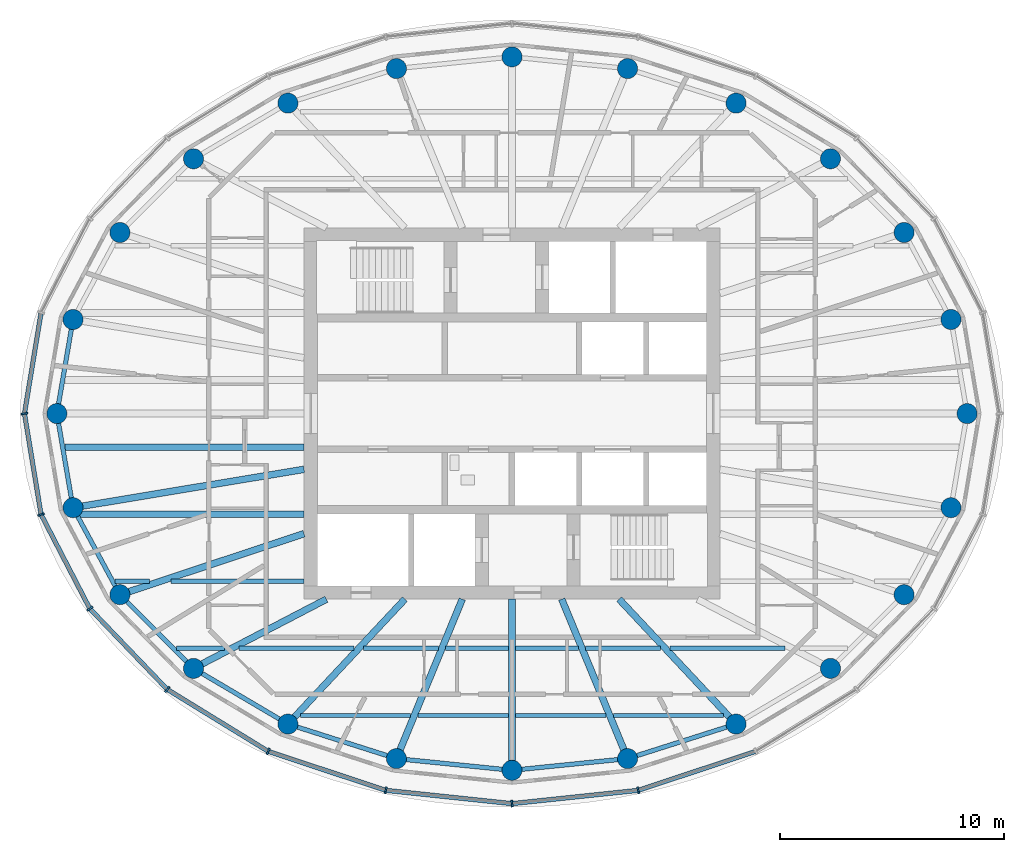
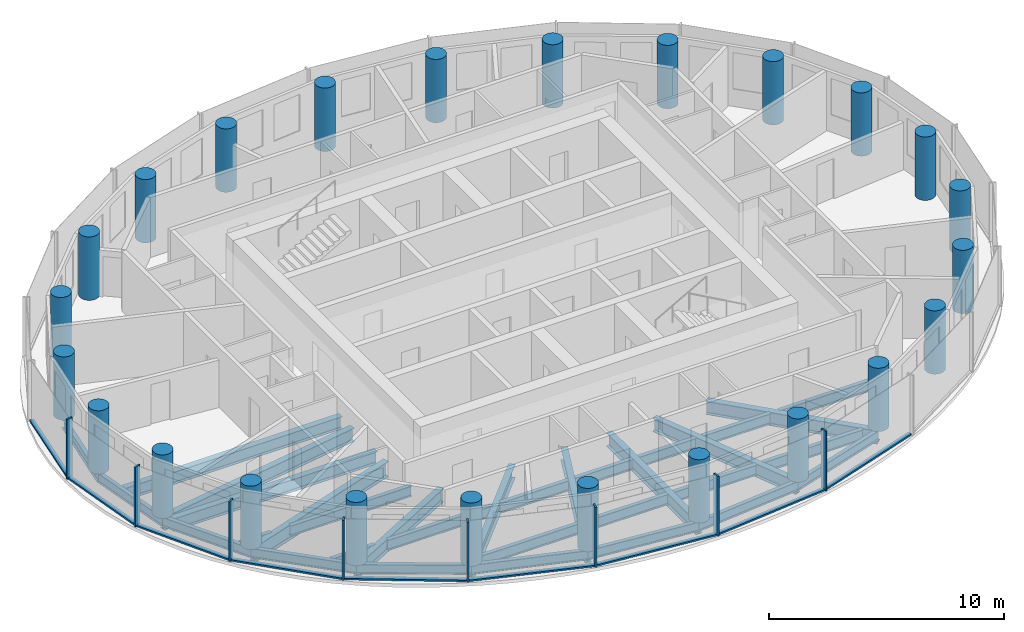
# One storey, part 1 of 12: 32 beams, 24 columns, 17 members, 3 elements without a shape of their own.
"""IFC4 building model written with IfcOpenShell, lengths in metres."""

from ifc_helpers import new_model, si_unit, direction, frame, origin, origin_2d, place, context, subcontext, project, spatial, rectangle, circle, i_section, extrude, material, material_profile, profile_set, type_object, element, aggregate, save


model = new_model("IFC4")

# Units and contexts
model_context = context("Model", 3, precision=1e-05, world=origin(), true_north=direction((0.0, 1.0)))
body_context = subcontext(model_context, "Body", "Model", "MODEL_VIEW")
ifc_project = project(units=[si_unit("LENGTHUNIT", "METRE"), si_unit("AREAUNIT", "SQUARE_METRE"), si_unit("VOLUMEUNIT", "CUBIC_METRE"), si_unit("PLANEANGLEUNIT", "RADIAN"), si_unit("MASSUNIT", "GRAM", prefix="KILO")], contexts=[model_context])

# Site, building, storey
site_placement = place(None, origin())
site = spatial("IfcSite", under=ifc_project, at=site_placement, CompositionType="ELEMENT")
building_placement = place(site_placement, origin())
building = spatial("IfcBuilding", under=site, at=building_placement, Name="Hankou Lantern Tower", CompositionType="ELEMENT")
storey_placement = place(building_placement, frame((0.0, 0.0, 216.0)))
storey = spatial("IfcBuildingStorey", under=building, at=storey_placement, Name="L58", CompositionType="ELEMENT", Elevation=216.0)

# Columns
ifc_material_1 = material(Name="Concrete C50", Category="concrete")
ifc_material_profile_1 = material_profile(ifc_material_1, circle(Radius=0.449951171875, at=origin_2d()), Name="RC D900")
ifc_profile_set_1 = profile_set([ifc_material_profile_1], Name="Concrete C50")
column_type = type_object("IfcColumnType", Name="TC5 PERIMETER COLUMN RC D900", PredefinedType="COLUMN", material=ifc_profile_set_1)
for number, where, z_axis, x_axis, name in (
    (1, (20.35009765625, 0.0, 0.0), (0.0, 0.0, 1.0), (1.0, 0.0, 0.0), "Column R01 L58"),
    (2, (19.629150390625, 4.207763671875, 0.0), (0.0, 0.0, 1.0), (1.0, 0.0, 0.0), "Column R02 L58"),
    (3, (17.5322265625, 8.097900390625, 0.0), (0.0, 0.0, 1.0), (1.0, 0.0, 0.0), "Column R03 L58"),
    (4, (14.241455078125, 11.393310546875, 0.0), (0.0, 0.0, 1.0), (1.0, 0.0, 0.0), "Column R04 L58"),
    (5, (10.01904296875, 13.8828125, 0.0), (0.0, 0.0, 1.0), (1.0, 0.0, 0.0), "Column R05 L58"),
    (6, (5.167236328125, 15.42724609375, 0.0), (0.0, 0.0, 1.0), (1.0, 0.0, 0.0), "Column R06 L58"),
    (7, (0.0, 15.949951171875, 0.0), (0.0, 0.0, 1.0), (1.0, 0.0, 0.0), "Column R07 L58"),
    (8, (-5.167236328125, 15.42724609375, 0.0), (0.0, 0.0, 1.0), (1.0, 0.0, 0.0), "Column R08 L58"),
    (9, (-10.01904296875, 13.8828125, 0.0), (0.0, 0.0, 1.0), (1.0, 0.0, 0.0), "Column R09 L58"),
    (10, (-14.241455078125, 11.393310546875, 0.0), (0.0, 0.0, 1.0), (1.0, 0.0, 0.0), "Column R10 L58"),
    (11, (-17.5322265625, 8.097900390625, 0.0), (0.0, 0.0, 1.0), (1.0, 0.0, 0.0), "Column R11 L58"),
    (12, (-19.629150390625, 4.207763671875, 0.0), (0.0, 0.0, 1.0), (1.0, 0.0, 0.0), "Column R12 L58"),
    (13, (-20.35009765625, 0.0, 0.0), (0.0, 0.0, 1.0), (1.0, 0.0, 0.0), "Column R13 L58"),
    (14, (-19.629150390625, -4.207763671875, 0.0), (0.0, 0.0, 1.0), (1.0, 0.0, 0.0), "Column R14 L58"),
    (15, (-17.5322265625, -8.097900390625, 0.0), (0.0, 0.0, 1.0), (1.0, 0.0, 0.0), "Column R15 L58"),
    (16, (-14.241455078125, -11.393310546875, 0.0), (0.0, 0.0, 1.0), (1.0, 0.0, 0.0), "Column R16 L58"),
    (17, (-10.01904296875, -13.8828125, 0.0), (0.0, 0.0, 1.0), (1.0, 0.0, 0.0), "Column R17 L58"),
    (18, (-5.167236328125, -15.42724609375, 0.0), (0.0, 0.0, 1.0), (1.0, 0.0, 0.0), "Column R18 L58"),
    (19, (0.0, -15.949951171875, 0.0), (0.0, 0.0, 1.0), (1.0, 0.0, 0.0), "Column R19 L58"),
    (20, (5.167236328125, -15.42724609375, 0.0), (0.0, 0.0, 1.0), (1.0, 0.0, 0.0), "Column R20 L58"),
    (21, (10.01904296875, -13.8828125, 0.0), (0.0, 0.0, 1.0), (1.0, 0.0, 0.0), "Column R21 L58"),
    (22, (14.241455078125, -11.393310546875, 0.0), (0.0, 0.0, 1.0), (1.0, 0.0, 0.0), "Column R22 L58"),
    (23, (17.5322265625, -8.097900390625, 0.0), (0.0, 0.0, 1.0), (1.0, 0.0, 0.0), "Column R23 L58"),
    (24, (19.629150390625, -4.207763671875, 0.0), (0.0, 0.0, 1.0), (1.0, 0.0, 0.0), "Column R24 L58"),
):
    element("IfcColumn", number, at=place(storey_placement, frame(where, z_axis=z_axis, x_axis=x_axis)), inside=storey, type_object=column_type, Name=name, PredefinedType="COLUMN", context=body_context, shape_type="SweptSolid", body=[
        extrude(circle(Radius=0.449951171875, at=origin_2d()), origin(), (0.0, 0.0, 1.0), 3.300048828125),
    ])

# Beams
ifc_material_2 = material(Name="Steel Q355B", Category="steel")
ifc_material_profile_2 = material_profile(ifc_material_2, i_section(OverallWidth=0.199951171875, OverallDepth=0.5, WebThickness=0.010009765625, FlangeThickness=0.01611328125, FilletRadius=0.012939453125, at=origin_2d()), Name="HN500x200x10x16")
ifc_profile_set_2 = profile_set([ifc_material_profile_2], Name="Steel Q355B")
beam_type_1 = type_object("IfcBeamType", Name="EB5 RING BEAM HN500x200x10x16", PredefinedType="SPANDREL", material=ifc_profile_set_2)
for number, where, z_axis, x_axis, name in (
    (25, (-19.629150390625, 4.207763671875, -0.429931640625), (-0.168876512999, -0.98563721691, 0.0), (0.98563721691, -0.168876512999, 0.0), "Ring beam R12-R13 L58"),
    (26, (-20.35009765625, 0.0, -0.429931640625), (0.168876512999, -0.98563721691, 0.0), (0.98563721691, 0.168876512999, 0.0), "Ring beam R13-R14 L58"),
):
    element("IfcBeam", number, at=place(storey_placement, frame(where, z_axis=z_axis, x_axis=x_axis)), inside=storey, type_object=beam_type_1, Name=name, PredefinedType="SPANDREL", context=body_context, shape_type="SweptSolid", body=[
        extrude(i_section(OverallWidth=0.199951171875, OverallDepth=0.5, WebThickness=0.010009765625, FlangeThickness=0.01611328125, FilletRadius=0.012939453125, at=origin_2d()), origin(), (0.0, 0.0, 1.0), 4.26904296875),
    ])
beam_1_placement = place(storey_placement, frame((-19.629150390625, -4.207763671875, -0.429931640625), z_axis=(0.474491806611, -0.880259919262, 0.0), x_axis=(0.880259919262, 0.474491806611, 0.0)))
element("IfcBeam", 27, at=beam_1_placement, inside=storey, type_object=beam_type_1, Name="Ring beam R14-R15 L58", PredefinedType="SPANDREL", context=body_context, shape_type="SweptSolid", body=[
    extrude(i_section(OverallWidth=0.199951171875, OverallDepth=0.5, WebThickness=0.010009765625, FlangeThickness=0.01611328125, FilletRadius=0.012939453125, at=origin_2d()), origin(), (0.0, 0.0, 1.0), 4.419189453125),
])
beam_2_placement = place(storey_placement, frame((-17.5322265625, -8.097900390625, -0.429931640625), z_axis=(0.706608588034, -0.707604623583, 0.0), x_axis=(0.707604623583, 0.706608588034, 0.0)))
element("IfcBeam", 28, at=beam_2_placement, inside=storey, type_object=beam_type_1, Name="Ring beam R15-R16 L58", PredefinedType="SPANDREL", context=body_context, shape_type="SweptSolid", body=[
    extrude(i_section(OverallWidth=0.199951171875, OverallDepth=0.5, WebThickness=0.010009765625, FlangeThickness=0.01611328125, FilletRadius=0.012939453125, at=origin_2d()), origin(), (0.0, 0.0, 1.0), 4.6572265625),
])
beam_3_placement = place(storey_placement, frame((-14.241455078125, -11.393310546875, -0.429931640625), z_axis=(0.861422897323, -0.507888365655, 0.0), x_axis=(0.507888365655, 0.861422897323, 0.0)))
element("IfcBeam", 29, at=beam_3_placement, inside=storey, type_object=beam_type_1, Name="Ring beam R16-R17 L58", PredefinedType="SPANDREL", context=body_context, shape_type="SweptSolid", body=[
    extrude(i_section(OverallWidth=0.199951171875, OverallDepth=0.5, WebThickness=0.010009765625, FlangeThickness=0.01611328125, FilletRadius=0.012939453125, at=origin_2d()), origin(), (0.0, 0.0, 1.0), 4.901611328125),
])
beam_4_placement = place(storey_placement, frame((-10.01904296875, -13.8828125, -0.429931640625), z_axis=(0.952887359315, -0.303324381574, 0.0), x_axis=(0.303324381574, 0.952887359315, 0.0)))
element("IfcBeam", 30, at=beam_4_placement, inside=storey, type_object=beam_type_1, Name="Ring beam R17-R18 L58", PredefinedType="SPANDREL", context=body_context, shape_type="SweptSolid", body=[
    extrude(i_section(OverallWidth=0.199951171875, OverallDepth=0.5, WebThickness=0.010009765625, FlangeThickness=0.01611328125, FilletRadius=0.012939453125, at=origin_2d()), origin(), (0.0, 0.0, 1.0), 5.091796875),
])
for number, where, z_axis, x_axis, name in (
    (31, (-5.167236328125, -15.42724609375, -0.429931640625), (0.994922507736, -0.100643944676, 0.0), (0.100643944676, 0.994922507736, 0.0), "Ring beam R18-R19 L58"),
    (32, (0.0, -15.949951171875, -0.429931640625), (0.994922507736, 0.100643944676, 0.0), (-0.100643944676, 0.994922507736, 0.0), "Ring beam R19-R20 L58"),
):
    element("IfcBeam", number, at=place(storey_placement, frame(where, z_axis=z_axis, x_axis=x_axis)), inside=storey, type_object=beam_type_1, Name=name, PredefinedType="SPANDREL", context=body_context, shape_type="SweptSolid", body=[
        extrude(i_section(OverallWidth=0.199951171875, OverallDepth=0.5, WebThickness=0.010009765625, FlangeThickness=0.01611328125, FilletRadius=0.012939453125, at=origin_2d()), origin(), (0.0, 0.0, 1.0), 5.193603515625),
    ])
beam_5_placement = place(storey_placement, frame((5.167236328125, -15.42724609375, -0.429931640625), z_axis=(0.952887359315, 0.303324381574, 0.0), x_axis=(-0.303324381574, 0.952887359315, 0.0)))
element("IfcBeam", 33, at=beam_5_placement, inside=storey, type_object=beam_type_1, Name="Ring beam R20-R21 L58", PredefinedType="SPANDREL", context=body_context, shape_type="SweptSolid", body=[
    extrude(i_section(OverallWidth=0.199951171875, OverallDepth=0.5, WebThickness=0.010009765625, FlangeThickness=0.01611328125, FilletRadius=0.012939453125, at=origin_2d()), origin(), (0.0, 0.0, 1.0), 5.091796875),
])

# Curtain wall, members
ifc_material_3 = material(Name="Glass, dark grey tinted laminated", Category="glass")
curtain_wall_type = type_object("IfcCurtainWallType", Name="CWD OUTER SKIN SUITE", PredefinedType="USERDEFINED", material=ifc_material_3)
curtain_wall_1_placement = place(storey_placement, origin())
curtain_wall_1 = element("IfcCurtainWall", 34, at=curtain_wall_1_placement, inside=storey, type_object=curtain_wall_type, Name="CWD L58 OS3", ObjectType="OUTER SKIN SUITE", PredefinedType="USERDEFINED")
ifc_material_4 = material(Name="Aluminium, black anodised", Category="aluminium")
ifc_material_profile_3 = material_profile(ifc_material_4, rectangle(XDim=0.080078125, YDim=0.300048828125, at=origin_2d()), Name="MU1 80X300")
ifc_profile_set_3 = profile_set([ifc_material_profile_3], Name="Aluminium, black anodised")
member_type_1 = type_object("IfcMemberType", Name="MU1 OUTER SKIN MULLION 80X300", PredefinedType="MULLION", material=ifc_profile_set_3)
member_1_placement = place(storey_placement, frame((-21.800048828125, 0.0, 0.0), z_axis=(0.0, 0.0, 1.0), x_axis=(0.162381515188, -0.986728049427, 0.0)))
member_1 = element("IfcMember", 35, at=member_1_placement, type_object=member_type_1, Name="CWD mullion 1", PredefinedType="MULLION", context=body_context, shape_type="SweptSolid", body=[
    extrude(rectangle(XDim=0.080078125, YDim=0.300048828125, at=origin_2d()), origin(), (0.0, 0.0, 1.0), 3.1201171875),
])
member_2_placement = place(storey_placement, frame((-21.05712890625, -4.513916015625, 0.0), z_axis=(0.0, 0.0, 1.0), x_axis=(0.317595577365, -0.94822626479, 0.0)))
member_2 = element("IfcMember", 36, at=member_2_placement, type_object=member_type_1, Name="CWD mullion 2", PredefinedType="MULLION", context=body_context, shape_type="SweptSolid", body=[
    extrude(rectangle(XDim=0.080078125, YDim=0.300048828125, at=origin_2d()), origin(), (0.0, 0.0, 1.0), 3.1201171875),
])
member_3_placement = place(storey_placement, frame((-18.87939453125, -8.719970703125, 0.0), z_axis=(0.0, 0.0, 1.0), x_axis=(0.585205735974, -0.810884854084, 0.0)))
member_3 = element("IfcMember", 37, at=member_3_placement, type_object=member_type_1, Name="CWD mullion 3", PredefinedType="MULLION", context=body_context, shape_type="SweptSolid", body=[
    extrude(rectangle(XDim=0.080078125, YDim=0.300048828125, at=origin_2d()), origin(), (0.0, 0.0, 1.0), 3.1201171875),
])
member_4_placement = place(storey_placement, frame((-15.4150390625, -12.33203125, 0.0), z_axis=(0.0, 0.0, 1.0), x_axis=(0.780868809444, -0.624695047553, 0.0)))
member_4 = element("IfcMember", 38, at=member_4_placement, type_object=member_type_1, Name="CWD mullion 4", PredefinedType="MULLION", context=body_context, shape_type="SweptSolid", body=[
    extrude(rectangle(XDim=0.080078125, YDim=0.300048828125, at=origin_2d()), origin(), (0.0, 0.0, 1.0), 3.1201171875),
])
member_5_placement = place(storey_placement, frame((-10.89990234375, -15.103515625, 0.0), z_axis=(0.0, 0.0, 1.0), x_axis=(0.907841299004, -0.419313934686, 0.0)))
member_5 = element("IfcMember", 39, at=member_5_placement, type_object=member_type_1, Name="CWD mullion 5", PredefinedType="MULLION", context=body_context, shape_type="SweptSolid", body=[
    extrude(rectangle(XDim=0.080078125, YDim=0.300048828125, at=origin_2d()), origin(), (0.0, 0.0, 1.0), 3.1201171875),
])
member_6_placement = place(storey_placement, frame((-5.642333984375, -16.845703125, 0.0), z_axis=(0.0, 0.0, 1.0), x_axis=(0.977787659625, -0.209597931016, 0.0)))
member_6 = element("IfcMember", 40, at=member_6_placement, type_object=member_type_1, Name="CWD mullion 6", PredefinedType="MULLION", context=body_context, shape_type="SweptSolid", body=[
    extrude(rectangle(XDim=0.080078125, YDim=0.300048828125, at=origin_2d()), origin(), (0.0, 0.0, 1.0), 3.1201171875),
])

curtain_wall_2_placement = place(storey_placement, origin())
curtain_wall_2 = element("IfcCurtainWall", 41, at=curtain_wall_2_placement, inside=storey, type_object=curtain_wall_type, Name="CWD L58 OS4", ObjectType="OUTER SKIN SUITE", PredefinedType="USERDEFINED")
member_7_placement = place(storey_placement, frame((0.0, -17.43994140625, 0.0), z_axis=(0.0, 0.0, 1.0), x_axis=(0.994499359107, 0.104742659579, 0.0)))
member_7 = element("IfcMember", 42, at=member_7_placement, type_object=member_type_1, Name="CWD mullion 1", PredefinedType="MULLION", context=body_context, shape_type="SweptSolid", body=[
    extrude(rectangle(XDim=0.080078125, YDim=0.300048828125, at=origin_2d()), origin(), (0.0, 0.0, 1.0), 3.1201171875),
])
member_8_placement = place(storey_placement, frame((5.642333984375, -16.845703125, 0.0), z_axis=(0.0, 0.0, 1.0), x_axis=(0.977787659625, 0.209597931016, 0.0)))
member_8 = element("IfcMember", 43, at=member_8_placement, type_object=member_type_1, Name="CWD mullion 2", PredefinedType="MULLION", context=body_context, shape_type="SweptSolid", body=[
    extrude(rectangle(XDim=0.080078125, YDim=0.300048828125, at=origin_2d()), origin(), (0.0, 0.0, 1.0), 3.1201171875),
])

# Beams
ifc_material_5 = material(Name="Steel Q355B", Category="steel")
ifc_material_profile_4 = material_profile(ifc_material_5, i_section(OverallWidth=0.300048828125, OverallDepth=0.800048828125, WebThickness=0.013916015625, FlangeThickness=0.02587890625, FilletRadius=0.01806640625, at=origin_2d()), Name="HN800x300x14x26")
ifc_profile_set_4 = profile_set([ifc_material_profile_4], Name="Steel Q355B")
beam_type_2 = type_object("IfcBeamType", Name="RB11 RADIAL BEAM HN800x300x14x26", PredefinedType="BEAM", material=ifc_profile_set_4)
beam_6_placement = place(storey_placement, frame((-9.300048828125, -5.369384765625, -0.580078125), z_axis=(-0.949219608576, -0.314614263337, 0.0), x_axis=(0.314614263337, -0.949219608576, 0.0)))
element("IfcBeam", 44, at=beam_6_placement, inside=storey, type_object=beam_type_2, Name="Radial beam R15 L58", PredefinedType="BEAM", context=body_context, shape_type="SweptSolid", body=[
    extrude(i_section(OverallWidth=0.300048828125, OverallDepth=0.800048828125, WebThickness=0.013916015625, FlangeThickness=0.02587890625, FilletRadius=0.01806640625, at=origin_2d()), origin(), (0.0, 0.0, 1.0), 8.672607421875),
])
ifc_material_6 = material(Name="Steel Q355B", Category="steel")
ifc_material_profile_5 = material_profile(ifc_material_6, i_section(OverallWidth=0.300048828125, OverallDepth=0.699951171875, WebThickness=0.012939453125, FlangeThickness=0.02392578125, FilletRadius=0.01806640625, at=origin_2d()), Name="HN700x300x13x24")
ifc_profile_set_5 = profile_set([ifc_material_profile_5], Name="Steel Q355B")
beam_type_3 = type_object("IfcBeamType", Name="RB9 RADIAL BEAM HN700x300x13x24", PredefinedType="BEAM", material=ifc_profile_set_5)
beam_7_placement = place(storey_placement, frame((-9.300048828125, -2.491943359375, -0.530029296875), z_axis=(-0.986482007061, -0.163869612027, 0.0), x_axis=(0.163869612027, -0.986482007061, 0.0)))
element("IfcBeam", 45, at=beam_7_placement, inside=storey, type_object=beam_type_3, Name="Radial beam R14 L58", PredefinedType="BEAM", context=body_context, shape_type="SweptSolid", body=[
    extrude(i_section(OverallWidth=0.300048828125, OverallDepth=0.699951171875, WebThickness=0.012939453125, FlangeThickness=0.02392578125, FilletRadius=0.01806640625, at=origin_2d()), origin(), (0.0, 0.0, 1.0), 10.470703125),
])
beam_8_placement = place(storey_placement, frame((-8.300048828125, -8.300048828125, -0.530029296875), z_axis=(-0.886988734783, -0.461791061378, 0.0), x_axis=(0.461791061378, -0.886988734783, 0.0)))
element("IfcBeam", 46, at=beam_8_placement, inside=storey, type_object=beam_type_3, Name="Radial beam R16 L58", PredefinedType="BEAM", context=body_context, shape_type="SweptSolid", body=[
    extrude(i_section(OverallWidth=0.300048828125, OverallDepth=0.699951171875, WebThickness=0.012939453125, FlangeThickness=0.02392578125, FilletRadius=0.01806640625, at=origin_2d()), origin(), (0.0, 0.0, 1.0), 6.698486328125),
])
beam_9_placement = place(storey_placement, frame((-4.7919921875, -8.300048828125, -0.530029296875), z_axis=(-0.68346844743, -0.729980055459, 0.0), x_axis=(0.729980055459, -0.68346844743, 0.0)))
element("IfcBeam", 47, at=beam_9_placement, inside=storey, type_object=beam_type_3, Name="Radial beam R17 L58", PredefinedType="BEAM", context=body_context, shape_type="SweptSolid", body=[
    extrude(i_section(OverallWidth=0.300048828125, OverallDepth=0.699951171875, WebThickness=0.012939453125, FlangeThickness=0.02392578125, FilletRadius=0.01806640625, at=origin_2d()), origin(), (0.0, 0.0, 1.0), 7.64794921875),
])
beam_10_placement = place(storey_placement, frame((-2.223876953125, -8.300048828125, -0.530029296875), z_axis=(-0.381706648123, -0.924283525104, 0.0), x_axis=(0.924283525104, -0.381706648123, 0.0)))
element("IfcBeam", 48, at=beam_10_placement, inside=storey, type_object=beam_type_3, Name="Radial beam R18 L58", PredefinedType="BEAM", context=body_context, shape_type="SweptSolid", body=[
    extrude(i_section(OverallWidth=0.300048828125, OverallDepth=0.699951171875, WebThickness=0.012939453125, FlangeThickness=0.02392578125, FilletRadius=0.01806640625, at=origin_2d()), origin(), (0.0, 0.0, 1.0), 7.7109375),
])
beam_11_placement = place(storey_placement, frame((0.0, -8.300048828125, -0.530029296875), z_axis=(0.0, -1.0, 0.0), x_axis=(1.0, 0.0, 0.0)))
element("IfcBeam", 49, at=beam_11_placement, inside=storey, type_object=beam_type_3, Name="Radial beam R19 L58", PredefinedType="BEAM", context=body_context, shape_type="SweptSolid", body=[
    extrude(i_section(OverallWidth=0.300048828125, OverallDepth=0.699951171875, WebThickness=0.012939453125, FlangeThickness=0.02392578125, FilletRadius=0.01806640625, at=origin_2d()), origin(), (0.0, 0.0, 1.0), 7.64990234375),
])
beam_12_placement = place(storey_placement, frame((2.223876953125, -8.300048828125, -0.530029296875), z_axis=(0.381706648123, -0.924283525104, 0.0), x_axis=(0.924283525104, 0.381706648123, 0.0)))
element("IfcBeam", 50, at=beam_12_placement, inside=storey, type_object=beam_type_3, Name="Radial beam R20 L58", PredefinedType="BEAM", context=body_context, shape_type="SweptSolid", body=[
    extrude(i_section(OverallWidth=0.300048828125, OverallDepth=0.699951171875, WebThickness=0.012939453125, FlangeThickness=0.02392578125, FilletRadius=0.01806640625, at=origin_2d()), origin(), (0.0, 0.0, 1.0), 7.7109375),
])
beam_13_placement = place(storey_placement, frame((4.7919921875, -8.300048828125, -0.530029296875), z_axis=(0.68346844743, -0.729980055459, 0.0), x_axis=(0.729980055459, 0.68346844743, 0.0)))
element("IfcBeam", 51, at=beam_13_placement, inside=storey, type_object=beam_type_3, Name="Radial beam R21 L58", PredefinedType="BEAM", context=body_context, shape_type="SweptSolid", body=[
    extrude(i_section(OverallWidth=0.300048828125, OverallDepth=0.699951171875, WebThickness=0.012939453125, FlangeThickness=0.02392578125, FilletRadius=0.01806640625, at=origin_2d()), origin(), (0.0, 0.0, 1.0), 7.64794921875),
])
ifc_material_7 = material(Name="Steel Q355B", Category="steel")
ifc_material_profile_6 = material_profile(ifc_material_7, i_section(OverallWidth=0.199951171875, OverallDepth=0.550048828125, WebThickness=0.010009765625, FlangeThickness=0.01611328125, FilletRadius=0.012939453125, at=origin_2d()), Name="HN550x200x10x16")
ifc_profile_set_6 = profile_set([ifc_material_profile_6], Name="Steel Q355B")
beam_type_4 = type_object("IfcBeamType", Name="SB6 SECONDARY BEAM HN550x200x10x16", PredefinedType="JOIST", material=ifc_profile_set_6)
beam_14_placement = place(storey_placement, frame((-9.455078125, -13.5, -0.455078125), z_axis=(1.0, 0.0, 0.0), x_axis=(0.0, 1.0, 0.0)))
element("IfcBeam", 52, at=beam_14_placement, inside=storey, type_object=beam_type_4, Name="Floor joist J001 L58", PredefinedType="JOIST", context=body_context, shape_type="SweptSolid", body=[
    extrude(i_section(OverallWidth=0.199951171875, OverallDepth=0.550048828125, WebThickness=0.010009765625, FlangeThickness=0.01611328125, FilletRadius=0.012939453125, at=origin_2d()), origin(), (0.0, 0.0, 1.0), 4.92138671875),
])
for number, where, z_axis, x_axis, name in (
    (53, (-4.208984375, -13.5, -0.455078125), (1.0, 0.0, 0.0), (0.0, 1.0, 0.0), "Floor joist J002 L58"),
    (54, (0.14990234375, -13.5, -0.455078125), (1.0, 0.0, 0.0), (0.0, 1.0, 0.0), "Floor joist J003 L58"),
):
    element("IfcBeam", number, at=place(storey_placement, frame(where, z_axis=z_axis, x_axis=x_axis)), inside=storey, type_object=beam_type_4, Name=name, PredefinedType="JOIST", context=body_context, shape_type="SweptSolid", body=[
        extrude(i_section(OverallWidth=0.199951171875, OverallDepth=0.550048828125, WebThickness=0.010009765625, FlangeThickness=0.01611328125, FilletRadius=0.012939453125, at=origin_2d()), origin(), (0.0, 0.0, 1.0), 4.05908203125),
    ])
beam_15_placement = place(storey_placement, frame((4.53369140625, -13.5, -0.455078125), z_axis=(1.0, 0.0, 0.0), x_axis=(0.0, 1.0, 0.0)))
element("IfcBeam", 55, at=beam_15_placement, inside=storey, type_object=beam_type_4, Name="Floor joist J004 L58", PredefinedType="JOIST", context=body_context, shape_type="SweptSolid", body=[
    extrude(i_section(OverallWidth=0.199951171875, OverallDepth=0.550048828125, WebThickness=0.010009765625, FlangeThickness=0.01611328125, FilletRadius=0.012939453125, at=origin_2d()), origin(), (0.0, 0.0, 1.0), 4.92138671875),
])
beam_16_placement = place(storey_placement, frame((-14.9921875, -10.5, -0.455078125), z_axis=(1.0, 0.0, 0.0), x_axis=(0.0, 1.0, 0.0)))
element("IfcBeam", 56, at=beam_16_placement, inside=storey, type_object=beam_type_4, Name="Floor joist J005 L58", PredefinedType="JOIST", context=body_context, shape_type="SweptSolid", body=[
    extrude(i_section(OverallWidth=0.199951171875, OverallDepth=0.550048828125, WebThickness=0.010009765625, FlangeThickness=0.01611328125, FilletRadius=0.012939453125, at=origin_2d()), origin(), (0.0, 0.0, 1.0), 2.1416015625),
])
beam_17_placement = place(storey_placement, frame((-12.200927734375, -10.5, -0.455078125), z_axis=(1.0, 0.0, 0.0), x_axis=(0.0, 1.0, 0.0)))
element("IfcBeam", 57, at=beam_17_placement, inside=storey, type_object=beam_type_4, Name="Floor joist J006 L58", PredefinedType="JOIST", context=body_context, shape_type="SweptSolid", body=[
    extrude(i_section(OverallWidth=0.199951171875, OverallDepth=0.550048828125, WebThickness=0.010009765625, FlangeThickness=0.01611328125, FilletRadius=0.012939453125, at=origin_2d()), origin(), (0.0, 0.0, 1.0), 5.1435546875),
])
beam_18_placement = place(storey_placement, frame((-6.646240234375, -10.5, -0.455078125), z_axis=(1.0, 0.0, 0.0), x_axis=(0.0, 1.0, 0.0)))
element("IfcBeam", 58, at=beam_18_placement, inside=storey, type_object=beam_type_4, Name="Floor joist J007 L58", PredefinedType="JOIST", context=body_context, shape_type="SweptSolid", body=[
    extrude(i_section(OverallWidth=0.199951171875, OverallDepth=0.550048828125, WebThickness=0.010009765625, FlangeThickness=0.01611328125, FilletRadius=0.012939453125, at=origin_2d()), origin(), (0.0, 0.0, 1.0), 3.3515625),
])
for number, where, z_axis, x_axis, name in (
    (59, (-2.97021484375, -10.5, -0.455078125), (1.0, 0.0, 0.0), (0.0, 1.0, 0.0), "Floor joist J008 L58"),
    (60, (0.14990234375, -10.5, -0.455078125), (1.0, 0.0, 0.0), (0.0, 1.0, 0.0), "Floor joist J009 L58"),
):
    element("IfcBeam", number, at=place(storey_placement, frame(where, z_axis=z_axis, x_axis=x_axis)), inside=storey, type_object=beam_type_4, Name=name, PredefinedType="JOIST", context=body_context, shape_type="SweptSolid", body=[
        extrude(i_section(OverallWidth=0.199951171875, OverallDepth=0.550048828125, WebThickness=0.010009765625, FlangeThickness=0.01611328125, FilletRadius=0.012939453125, at=origin_2d()), origin(), (0.0, 0.0, 1.0), 2.8203125),
    ])
beam_19_placement = place(storey_placement, frame((3.294677734375, -10.5, -0.455078125), z_axis=(1.0, 0.0, 0.0), x_axis=(0.0, 1.0, 0.0)))
element("IfcBeam", 61, at=beam_19_placement, inside=storey, type_object=beam_type_4, Name="Floor joist J010 L58", PredefinedType="JOIST", context=body_context, shape_type="SweptSolid", body=[
    extrude(i_section(OverallWidth=0.199951171875, OverallDepth=0.550048828125, WebThickness=0.010009765625, FlangeThickness=0.01611328125, FilletRadius=0.012939453125, at=origin_2d()), origin(), (0.0, 0.0, 1.0), 3.3515625),
])
beam_20_placement = place(storey_placement, frame((7.057373046875, -10.5, -0.455078125), z_axis=(1.0, 0.0, 0.0), x_axis=(0.0, 1.0, 0.0)))
element("IfcBeam", 62, at=beam_20_placement, inside=storey, type_object=beam_type_4, Name="Floor joist J011 L58", PredefinedType="JOIST", context=body_context, shape_type="SweptSolid", body=[
    extrude(i_section(OverallWidth=0.199951171875, OverallDepth=0.550048828125, WebThickness=0.010009765625, FlangeThickness=0.01611328125, FilletRadius=0.012939453125, at=origin_2d()), origin(), (0.0, 0.0, 1.0), 5.1435546875),
])
beam_21_placement = place(storey_placement, frame((-17.740966796875, -7.5, -0.455078125), z_axis=(1.0, 0.0, 0.0), x_axis=(0.0, 1.0, 0.0)))
element("IfcBeam", 63, at=beam_21_placement, inside=storey, type_object=beam_type_4, Name="Floor joist J013 L58", PredefinedType="JOIST", context=body_context, shape_type="SweptSolid", body=[
    extrude(i_section(OverallWidth=0.199951171875, OverallDepth=0.550048828125, WebThickness=0.010009765625, FlangeThickness=0.01611328125, FilletRadius=0.012939453125, at=origin_2d()), origin(), (0.0, 0.0, 1.0), 1.53564453125),
])
beam_22_placement = place(storey_placement, frame((-15.251708984375, -7.5, -0.455078125), z_axis=(1.0, 0.0, 0.0), x_axis=(0.0, 1.0, 0.0)))
element("IfcBeam", 64, at=beam_22_placement, inside=storey, type_object=beam_type_4, Name="Floor joist J014 L58", PredefinedType="JOIST", context=body_context, shape_type="SweptSolid", body=[
    extrude(i_section(OverallWidth=0.199951171875, OverallDepth=0.550048828125, WebThickness=0.010009765625, FlangeThickness=0.01611328125, FilletRadius=0.012939453125, at=origin_2d()), origin(), (0.0, 0.0, 1.0), 5.95166015625),
])
ifc_material_8 = material(Name="Steel Q355B", Category="steel")
ifc_material_profile_7 = material_profile(ifc_material_8, i_section(OverallWidth=0.300048828125, OverallDepth=0.64990234375, WebThickness=0.010986328125, FlangeThickness=0.01708984375, FilletRadius=0.01806640625, at=origin_2d()), Name="HN650x300x11x17")
ifc_profile_set_7 = profile_set([ifc_material_profile_7], Name="Steel Q355B")
beam_type_5 = type_object("IfcBeamType", Name="SB8 SECONDARY BEAM HN650x300x11x17", PredefinedType="JOIST", material=ifc_profile_set_7)
beam_23_placement = place(storey_placement, frame((-19.35791015625, -4.5, -0.5048828125), z_axis=(1.0, 0.0, 0.0), x_axis=(0.0, 1.0, 0.0)))
element("IfcBeam", 65, at=beam_23_placement, inside=storey, type_object=beam_type_5, Name="Floor joist J017 L58", PredefinedType="JOIST", context=body_context, shape_type="SweptSolid", body=[
    extrude(i_section(OverallWidth=0.300048828125, OverallDepth=0.64990234375, WebThickness=0.010986328125, FlangeThickness=0.01708984375, FilletRadius=0.01806640625, at=origin_2d()), origin(), (0.0, 0.0, 1.0), 10.057861328125),
])
beam_24_placement = place(storey_placement, frame((-19.991455078125, -1.5, -0.5048828125), z_axis=(1.0, 0.0, 0.0), x_axis=(0.0, 1.0, 0.0)))
element("IfcBeam", 66, at=beam_24_placement, inside=storey, type_object=beam_type_5, Name="Floor joist J019 L58", PredefinedType="JOIST", context=body_context, shape_type="SweptSolid", body=[
    extrude(i_section(OverallWidth=0.300048828125, OverallDepth=0.64990234375, WebThickness=0.010986328125, FlangeThickness=0.01708984375, FilletRadius=0.01806640625, at=origin_2d()), origin(), (0.0, 0.0, 1.0), 10.69140625),
])

# Curtain wall, member
curtain_wall_3_placement = place(storey_placement, origin())
curtain_wall_3 = element("IfcCurtainWall", 67, at=curtain_wall_3_placement, inside=storey, type_object=curtain_wall_type, Name="CWD L58 OS2", ObjectType="OUTER SKIN SUITE", PredefinedType="USERDEFINED")
ifc_material_9 = material(Name="Aluminium, black anodised", Category="aluminium")
ifc_material_profile_8 = material_profile(ifc_material_9, rectangle(XDim=0.199951171875, YDim=0.080078125, at=origin_2d()), Name="TR1 200X80")
ifc_profile_set_8 = profile_set([ifc_material_profile_8], Name="Aluminium, black anodised")
member_type_2 = type_object("IfcMemberType", Name="TR1 OUTER SKIN TRANSOM 200X80", PredefinedType="USERDEFINED", material=ifc_profile_set_8)
member_9_placement = place(storey_placement, frame((-21.063720703125, 4.474365234375, 0.0400390625), z_axis=(-0.162363822839, -0.986730960816, 0.0), x_axis=(0.986730960816, -0.162363822839, 0.0)))
member_9 = element("IfcMember", 68, at=member_9_placement, type_object=member_type_2, Name="CWD transom 6", ObjectType="TRANSOM", PredefinedType="USERDEFINED", context=body_context, shape_type="SweptSolid", body=[
    extrude(rectangle(XDim=0.199951171875, YDim=0.080078125, at=origin_2d()), origin(), (0.0, 0.0, 1.0), 4.494384765625),
])
aggregate(curtain_wall_3, [member_9])

# Member
member_10_placement = place(storey_placement, frame((-21.79345703125, -0.03955078125, 0.0400390625), z_axis=(0.162363822839, -0.986730960816, 0.0), x_axis=(0.986730960816, 0.162363822839, 0.0)))
member_10 = element("IfcMember", 69, at=member_10_placement, type_object=member_type_2, Name="CWD transom 1", ObjectType="TRANSOM", PredefinedType="USERDEFINED", context=body_context, shape_type="SweptSolid", body=[
    extrude(rectangle(XDim=0.199951171875, YDim=0.080078125, at=origin_2d()), origin(), (0.0, 0.0, 1.0), 4.494384765625),
])

member_11_placement = place(storey_placement, frame((-21.038818359375, -4.54931640625, 0.0400390625), z_axis=(0.45979371115, -0.888025755925, 0.0), x_axis=(0.888025755925, 0.45979371115, 0.0)))
member_11 = element("IfcMember", 70, at=member_11_placement, type_object=member_type_2, Name="CWD transom 2", ObjectType="TRANSOM", PredefinedType="USERDEFINED", context=body_context, shape_type="SweptSolid", body=[
    extrude(rectangle(XDim=0.199951171875, YDim=0.080078125, at=origin_2d()), origin(), (0.0, 0.0, 1.0), 4.65673828125),
])

member_12_placement = place(storey_placement, frame((-18.8515625, -8.748779296875, 0.0400390625), z_axis=(0.692204633274, -0.721701285626, 0.0), x_axis=(0.721701285626, 0.692204633274, 0.0)))
member_12 = element("IfcMember", 71, at=member_12_placement, type_object=member_type_2, Name="CWD transom 3", ObjectType="TRANSOM", PredefinedType="USERDEFINED", context=body_context, shape_type="SweptSolid", body=[
    extrude(rectangle(XDim=0.199951171875, YDim=0.080078125, at=origin_2d()), origin(), (0.0, 0.0, 1.0), 4.9248046875),
])

member_13_placement = place(storey_placement, frame((-15.380859375, -12.352783203125, 0.0400390625), z_axis=(0.852234544008, -0.523159900986, 0.0), x_axis=(0.523159900986, 0.852234544008, 0.0)))
member_13 = element("IfcMember", 72, at=member_13_placement, type_object=member_type_2, Name="CWD transom 4", ObjectType="TRANSOM", PredefinedType="USERDEFINED", context=body_context, shape_type="SweptSolid", body=[
    extrude(rectangle(XDim=0.199951171875, YDim=0.080078125, at=origin_2d()), origin(), (0.0, 0.0, 1.0), 5.2177734375),
])

member_14_placement = place(storey_placement, frame((-10.862060546875, -15.115966796875, 0.0400390625), z_axis=(0.949231947668, -0.314577032739, 0.0), x_axis=(0.314577032739, 0.949231947668, 0.0)))
member_14 = element("IfcMember", 73, at=member_14_placement, type_object=member_type_2, Name="CWD transom 5", ObjectType="TRANSOM", PredefinedType="USERDEFINED", context=body_context, shape_type="SweptSolid", body=[
    extrude(rectangle(XDim=0.199951171875, YDim=0.080078125, at=origin_2d()), origin(), (0.0, 0.0, 1.0), 5.458984375),
])

member_15_placement = place(storey_placement, frame((-5.6025390625, -16.849853515625, 0.0400390625), z_axis=(0.994498275726, -0.104752945435, 0.0), x_axis=(0.104752945435, 0.994498275726, 0.0)))
member_15 = element("IfcMember", 74, at=member_15_placement, type_object=member_type_2, Name="CWD transom 6", ObjectType="TRANSOM", PredefinedType="USERDEFINED", context=body_context, shape_type="SweptSolid", body=[
    extrude(rectangle(XDim=0.199951171875, YDim=0.080078125, at=origin_2d()), origin(), (0.0, 0.0, 1.0), 5.593505859375),
])

aggregate(curtain_wall_1, [member_1, member_2, member_3, member_4, member_5, member_6, member_10, member_11, member_12, member_13, member_14, member_15])

member_16_placement = place(storey_placement, frame((0.039794921875, -17.435791015625, 0.0400390625), z_axis=(0.994498275726, 0.104752945435, 0.0), x_axis=(-0.104752945435, 0.994498275726, 0.0)))
member_16 = element("IfcMember", 75, at=member_16_placement, type_object=member_type_2, Name="CWD transom 1", ObjectType="TRANSOM", PredefinedType="USERDEFINED", context=body_context, shape_type="SweptSolid", body=[
    extrude(rectangle(XDim=0.199951171875, YDim=0.080078125, at=origin_2d()), origin(), (0.0, 0.0, 1.0), 5.593505859375),
])

member_17_placement = place(storey_placement, frame((5.68017578125, -16.833251953125, 0.0400390625), z_axis=(0.949231947668, 0.314577032739, 0.0), x_axis=(-0.314577032739, 0.949231947668, 0.0)))
member_17 = element("IfcMember", 76, at=member_17_placement, type_object=member_type_2, Name="CWD transom 2", ObjectType="TRANSOM", PredefinedType="USERDEFINED", context=body_context, shape_type="SweptSolid", body=[
    extrude(rectangle(XDim=0.199951171875, YDim=0.080078125, at=origin_2d()), origin(), (0.0, 0.0, 1.0), 5.458984375),
])

aggregate(curtain_wall_2, [member_7, member_8, member_16, member_17])

save(model, "model.ifc")
